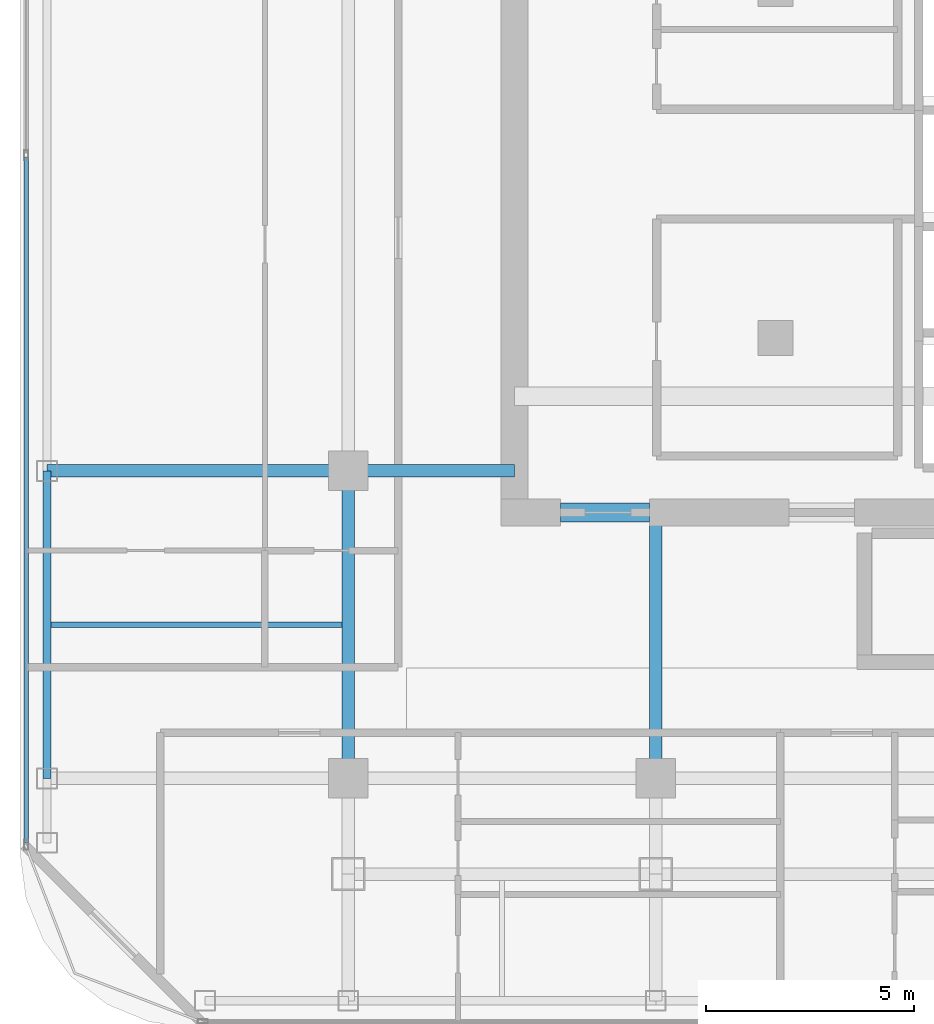
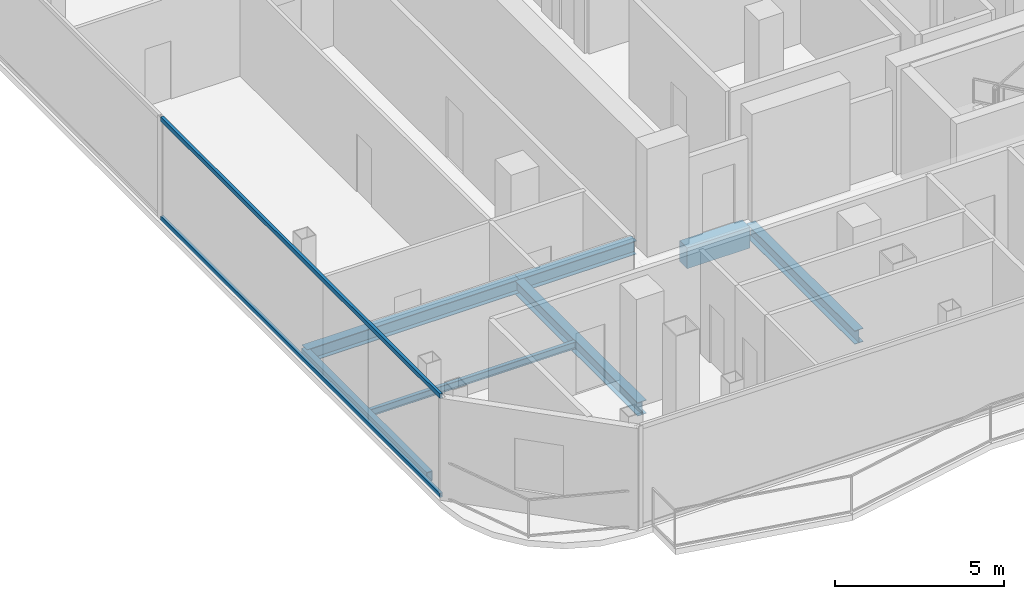
# One storey, part 3 of 22: 7 beams, 2 members, 1 element without a shape of its own.
"""IFC4 building model written with IfcOpenShell, lengths in metres."""

from ifc_helpers import new_model, si_unit, direction, frame, origin, origin_2d, place, context, subcontext, project, spatial, rectangle, hollow_rectangle, i_section, extrude, material, layer, layer_set, material_profile, profile_set, type_object, element, aggregate, save


model = new_model("IFC4")

# Units and contexts
model_context = context("Model", 3, precision=1e-05, world=origin(), true_north=direction((0.0, 1.0)))
body_context = subcontext(model_context, "Body", "Model", "MODEL_VIEW")
ifc_project = project(units=[si_unit("LENGTHUNIT", "METRE"), si_unit("AREAUNIT", "SQUARE_METRE"), si_unit("VOLUMEUNIT", "CUBIC_METRE"), si_unit("PLANEANGLEUNIT", "RADIAN"), si_unit("MASSUNIT", "GRAM", prefix="KILO")], contexts=[model_context])

# Site, building, storey
site_placement = place(None, origin())
site = spatial("IfcSite", under=ifc_project, at=site_placement, CompositionType="ELEMENT")
building_placement = place(site_placement, origin())
building = spatial("IfcBuilding", under=site, at=building_placement, Name="Khorvyn Point Tower", CompositionType="ELEMENT")
storey_placement = place(building_placement, frame((0.0, 0.0, 305.39990234375)))
storey = spatial("IfcBuildingStorey", under=building, at=storey_placement, Name="L75", CompositionType="ELEMENT", Elevation=305.39990234375)

# Curtain wall, members
ifc_material_1 = material(Name="Anodised aluminium 6063-T6 and laminated Low-E glass", Category="aluminium")
ifc_layer = layer(ifc_material_1, 0.18994140625)
ifc_layer_set = layer_set([ifc_layer], Name="Stick-Built High-Wind Curtain Wall CW-SYS-04")
curtain_wall_type = type_object("IfcCurtainWallType", Name="Stick-Built High-Wind Curtain Wall CW-SYS-04", PredefinedType="NOTDEFINED", material=ifc_layer_set)
curtain_wall_placement = place(storey_placement, origin())
curtain_wall = element("IfcCurtainWall", 1, at=curtain_wall_placement, inside=storey, type_object=curtain_wall_type, Name="Curtain Wall", PredefinedType="NOTDEFINED")
ifc_material_2 = material(Name="Anodised aluminium 6063-T6", Category="aluminium")
ifc_material_profile_1 = material_profile(ifc_material_2, hollow_rectangle(XDim=0.10009765625, YDim=0.159912109375, WallThickness=0.00439453125, at=origin_2d()))
ifc_profile_set_1 = profile_set([ifc_material_profile_1], Name="Anodised aluminium 6063-T6 ALU-TRN-100x160")
member_type = type_object("IfcMemberType", Name="Anodised Aluminium 6063-T6 Transom ALU-TRN-100x160", PredefinedType="USERDEFINED", material=ifc_profile_set_1)
member_1_placement = place(storey_placement, frame((-22.550048828125, -16.35009765625, 0.050048828125), z_axis=(0.0, 1.0, 0.0), x_axis=(-1.0, 0.0, 0.0)))
member_1 = element("IfcMember", 2, at=member_1_placement, type_object=member_type, Name="Transom", ObjectType="TRANSOM", PredefinedType="USERDEFINED", context=body_context, shape_type="SweptSolid", body=[
    extrude(hollow_rectangle(XDim=0.10009765625, YDim=0.159912109375, WallThickness=0.00439453125, at=origin_2d()), origin(), (0.0, 0.0, 1.0), 16.5),
])
member_2_placement = place(storey_placement, frame((-22.550048828125, -16.35009765625, 3.630126953125), z_axis=(0.0, 1.0, 0.0), x_axis=(-1.0, 0.0, 0.0)))
member_2 = element("IfcMember", 3, at=member_2_placement, type_object=member_type, Name="Transom", ObjectType="TRANSOM", PredefinedType="USERDEFINED", context=body_context, shape_type="SweptSolid", body=[
    extrude(hollow_rectangle(XDim=0.10009765625, YDim=0.159912109375, WallThickness=0.00439453125, at=origin_2d()), origin(), (0.0, 0.0, 1.0), 16.5),
])
aggregate(curtain_wall, [member_1, member_2])

# Beams
ifc_material_3 = material(Name="Concrete C40/50", Category="concrete")
ifc_material_profile_2 = material_profile(ifc_material_3, rectangle(XDim=0.449951171875, YDim=0.75, at=origin_2d()))
ifc_profile_set_2 = profile_set([ifc_material_profile_2], Name="Concrete C40/50 RC450x750")
beam_type_1 = type_object("IfcBeamType", Name="Concrete C40/50 Beam RC450x750", PredefinedType="BEAM", material=ifc_profile_set_2)
beam_1_placement = place(storey_placement, frame((-9.699951171875, -8.39990234375, -0.594970703125), z_axis=(1.0, 0.0, 0.0), x_axis=(0.0, 1.0, 0.0)))
element("IfcBeam", 4, at=beam_1_placement, inside=storey, type_object=beam_type_1, Name="L75 Core Southwest Portal Coupling Beam", PredefinedType="BEAM", context=body_context, shape_type="SweptSolid", body=[
    extrude(rectangle(XDim=0.449951171875, YDim=0.75, at=origin_2d()), origin(), (0.0, 0.0, 1.0), 2.14990234375),
])
ifc_material_4 = material(Name="Steel S355", Category="steel")
ifc_material_profile_3 = material_profile(ifc_material_4, i_section(OverallWidth=0.125, OverallDepth=0.25, WebThickness=0.006103515625, FlangeThickness=0.009033203125, at=origin_2d()))
ifc_profile_set_3 = profile_set([ifc_material_profile_3], Name="Steel S355 H250x125x6x9")
beam_type_2 = type_object("IfcBeamType", Name="Steel S355 Joist H250x125x6x9", PredefinedType="JOIST", material=ifc_profile_set_3)
beam_2_placement = place(storey_placement, frame((-21.949951171875, -11.10009765625, -0.344970703125), z_axis=(1.0, 0.0, 0.0), x_axis=(0.0, 1.0, 0.0)))
element("IfcBeam", 5, at=beam_2_placement, inside=storey, type_object=beam_type_2, Name="Beam", PredefinedType="JOIST", context=body_context, shape_type="SweptSolid", body=[
    extrude(i_section(OverallWidth=0.125, OverallDepth=0.25, WebThickness=0.006103515625, FlangeThickness=0.009033203125, at=origin_2d()), origin(), (0.0, 0.0, 1.0), 7.0),
])
ifc_material_profile_4 = material_profile(ifc_material_4, i_section(OverallWidth=0.300048828125, OverallDepth=0.488037109375, WebThickness=0.010986328125, FlangeThickness=0.01806640625, at=origin_2d()))
ifc_profile_set_4 = profile_set([ifc_material_profile_4], Name="Steel S355 H488x300x11x18")
beam_type_3 = type_object("IfcBeamType", Name="Steel S355 Spandrel H488x300x11x18", PredefinedType="SPANDREL", material=ifc_profile_set_4)
beam_3_placement = place(storey_placement, frame((-22.050048828125, -7.39990234375, -0.4638671875), z_axis=(1.0, 0.0, 0.0), x_axis=(0.0, 1.0, 0.0)))
element("IfcBeam", 6, at=beam_3_placement, inside=storey, type_object=beam_type_3, Name="Beam", PredefinedType="SPANDREL", context=body_context, shape_type="SweptSolid", body=[
    extrude(i_section(OverallWidth=0.300048828125, OverallDepth=0.488037109375, WebThickness=0.010986328125, FlangeThickness=0.01806640625, at=origin_2d()), origin(), (0.0, 0.0, 1.0), 7.25),
])
beam_4_placement = place(storey_placement, frame((-14.800048828125, -7.39990234375, -0.4638671875), z_axis=(1.0, 0.0, 0.0), x_axis=(0.0, 1.0, 0.0)))
element("IfcBeam", 7, at=beam_4_placement, inside=storey, type_object=beam_type_3, Name="Beam", PredefinedType="SPANDREL", context=body_context, shape_type="SweptSolid", body=[
    extrude(i_section(OverallWidth=0.300048828125, OverallDepth=0.488037109375, WebThickness=0.010986328125, FlangeThickness=0.01806640625, at=origin_2d()), origin(), (0.0, 0.0, 1.0), 4.0),
])
beam_5_placement = place(storey_placement, frame((-14.800048828125, -14.800048828125, -0.4638671875), z_axis=(0.0, 1.0, 0.0), x_axis=(-1.0, 0.0, 0.0)))
element("IfcBeam", 8, at=beam_5_placement, inside=storey, type_object=beam_type_3, Name="Beam", PredefinedType="SPANDREL", context=body_context, shape_type="SweptSolid", body=[
    extrude(i_section(OverallWidth=0.300048828125, OverallDepth=0.488037109375, WebThickness=0.010986328125, FlangeThickness=0.01806640625, at=origin_2d()), origin(), (0.0, 0.0, 1.0), 7.400146484375),
])
beam_6_placement = place(storey_placement, frame((-7.39990234375, -14.800048828125, -0.4638671875), z_axis=(0.0, 1.0, 0.0), x_axis=(-1.0, 0.0, 0.0)))
element("IfcBeam", 9, at=beam_6_placement, inside=storey, type_object=beam_type_3, Name="Beam", PredefinedType="SPANDREL", context=body_context, shape_type="SweptSolid", body=[
    extrude(i_section(OverallWidth=0.300048828125, OverallDepth=0.488037109375, WebThickness=0.010986328125, FlangeThickness=0.01806640625, at=origin_2d()), origin(), (0.0, 0.0, 1.0), 6.400146484375),
])
ifc_material_profile_5 = material_profile(ifc_material_4, hollow_rectangle(XDim=0.199951171875, YDim=0.35009765625, WallThickness=0.013916015625, at=origin_2d()))
ifc_profile_set_5 = profile_set([ifc_material_profile_5], Name="Steel S355 RHS350x200x14")
beam_type_4 = type_object("IfcBeamType", Name="Steel S355 Spandrel RHS350x200x14", PredefinedType="SPANDREL", material=ifc_profile_set_5)
beam_7_placement = place(storey_placement, frame((-22.050048828125, -14.800048828125, -0.39501953125), z_axis=(0.0, 1.0, 0.0), x_axis=(-1.0, 0.0, 0.0)))
element("IfcBeam", 10, at=beam_7_placement, inside=storey, type_object=beam_type_4, Name="Beam", PredefinedType="SPANDREL", context=body_context, shape_type="SweptSolid", body=[
    extrude(hollow_rectangle(XDim=0.199951171875, YDim=0.35009765625, WallThickness=0.013916015625, at=origin_2d()), origin(), (0.0, 0.0, 1.0), 7.400146484375),
])

save(model, "model.ifc")
